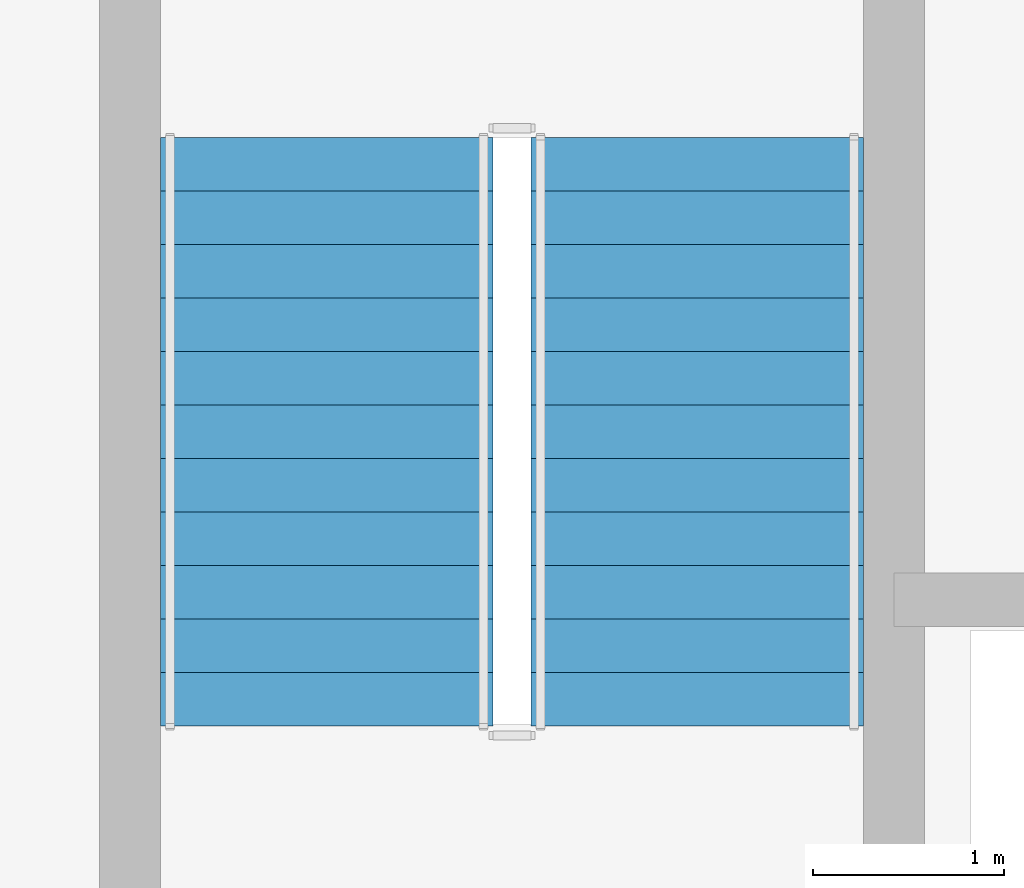
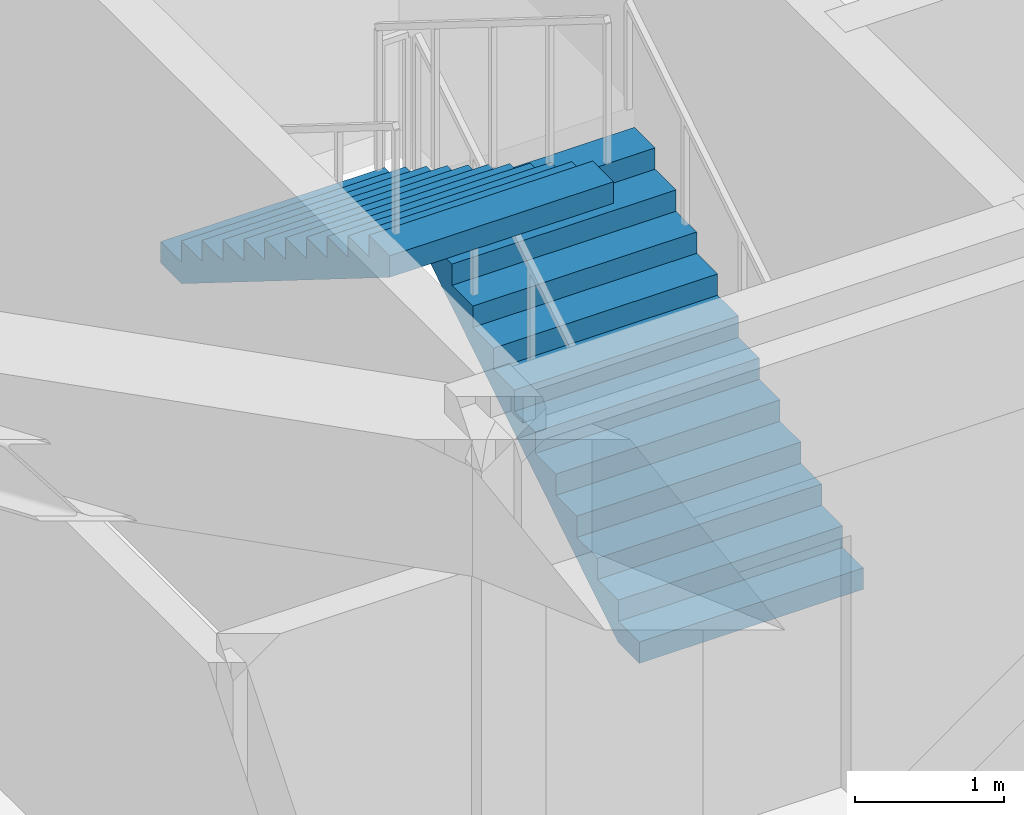
# One storey, part 4 of 5: 2 stair flights, 1 element without a shape of its own.
"""IFC4 building model written with IfcOpenShell, lengths in metres."""

from ifc_helpers import new_model, si_unit, direction, frame, origin, place, context, subcontext, project, spatial, polyline, outline, extrude, material, type_object, element, aggregate, save


model = new_model("IFC4")

# Units and contexts
model_context = context("Model", 3, precision=1e-05, world=origin(), true_north=direction((0.0, 1.0)))
body_context = subcontext(model_context, "Body", "Model", "MODEL_VIEW")
ifc_project = project(units=[si_unit("LENGTHUNIT", "METRE"), si_unit("AREAUNIT", "SQUARE_METRE"), si_unit("VOLUMEUNIT", "CUBIC_METRE"), si_unit("PLANEANGLEUNIT", "RADIAN"), si_unit("MASSUNIT", "GRAM", prefix="KILO")], contexts=[model_context])

# Site, building, storey
site_placement = place(None, origin())
site = spatial("IfcSite", under=ifc_project, at=site_placement, CompositionType="ELEMENT")
building_placement = place(site_placement, origin())
building = spatial("IfcBuilding", under=site, at=building_placement, Name="Talyreon Biosciences Tower", CompositionType="ELEMENT")
storey_placement = place(building_placement, frame((0.0, 0.0, 325.60009765625)))
storey = spatial("IfcBuildingStorey", under=building, at=storey_placement, Name="L86", CompositionType="ELEMENT", Elevation=325.60009765625)

# Stair, stair flights
ifc_material = material(Name="Concrete C40/50", Category="concrete")
stair_type = type_object("IfcStairType", Name="DoglegEscapeStair_4200", PredefinedType="HALF_TURN_STAIR", material=ifc_material)
stair_placement = place(storey_placement, origin())
stair = element("IfcStair", 1, at=stair_placement, inside=storey, type_object=stair_type, Name="L86 Crown Internal Escape Stair 4", PredefinedType="HALF_TURN_STAIR")
stair_flight_type = type_object("IfcStairFlightType", Name="PrecastStairFlight_4200", PredefinedType="STRAIGHT", material=ifc_material)
stair_flight_1_placement = place(storey_placement, frame((63.969970703125, 54.800048828125, 0.0), z_axis=(0.0, 0.0, 1.0), x_axis=(0.0, 1.0, 0.0)))
stair_flight_1 = element("IfcStairFlight", 2, at=stair_flight_1_placement, type_object=stair_flight_type, Name="ST-4 flight 1", NumberOfRisers=12, NumberOfTreads=11, PredefinedType="STRAIGHT", RiserHeight=0.175, TreadLength=0.28, context=body_context, shape_type="SweptSolid", body=[
    extrude(outline(polyline([(0.0, 0.0), (0.0, 0.175048828125), (0.280029296875, 0.175048828125), (0.280029296875, 0.35009765625), (0.56005859375, 0.35009765625), (0.56005859375, 0.52490234375), (0.840087890625, 0.52490234375), (0.840087890625, 0.699951171875), (1.1201171875, 0.699951171875), (1.1201171875, 0.875), (1.39990234375, 0.875), (1.39990234375, 1.050048828125), (1.679931640625, 1.050048828125), (1.679931640625, 1.22509765625), (1.9599609375, 1.22509765625), (1.9599609375, 1.39990234375), (2.239990234375, 1.39990234375), (2.239990234375, 1.574951171875), (2.52001953125, 1.574951171875), (2.52001953125, 1.75), (2.800048828125, 1.75), (2.800048828125, 1.925048828125), (3.080078125, 1.925048828125), (3.080078125, 2.10009765625), (3.080078125, 1.748291015625), (0.28271484375, 0.0), (0.0, 0.0)])), frame((0.0, 0.8701171875, 0.0), z_axis=(0.0, -1.0, 0.0), x_axis=(1.0, 0.0, 0.0)), (0.0, 0.0, 1.0), 1.739990234375),
])
stair_flight_2_placement = place(storey_placement, frame((62.030029296875, 57.8798828125, 2.099853515625), z_axis=(0.0, 0.0, 1.0), x_axis=(0.0, -1.0, 0.0)))
stair_flight_2 = element("IfcStairFlight", 3, at=stair_flight_2_placement, type_object=stair_flight_type, Name="ST-4 flight 2", NumberOfRisers=12, NumberOfTreads=11, PredefinedType="STRAIGHT", RiserHeight=0.175, TreadLength=0.28, context=body_context, shape_type="SweptSolid", body=[
    extrude(outline(polyline([(0.0, 0.0), (0.0, 0.175048828125), (0.280029296875, 0.175048828125), (0.280029296875, 0.35009765625), (0.56005859375, 0.35009765625), (0.56005859375, 0.52490234375), (0.840087890625, 0.52490234375), (0.840087890625, 0.699951171875), (1.1201171875, 0.699951171875), (1.1201171875, 0.875), (1.39990234375, 0.875), (1.39990234375, 1.050048828125), (1.679931640625, 1.050048828125), (1.679931640625, 1.22509765625), (1.9599609375, 1.22509765625), (1.9599609375, 1.39990234375), (2.239990234375, 1.39990234375), (2.239990234375, 1.574951171875), (2.52001953125, 1.574951171875), (2.52001953125, 1.75), (2.800048828125, 1.75), (2.800048828125, 1.925048828125), (3.080078125, 1.925048828125), (3.080078125, 2.10009765625), (3.080078125, 1.748291015625), (0.28271484375, 0.0), (0.0, 0.0)])), frame((0.0, 0.8701171875, 0.0), z_axis=(0.0, -1.0, 0.0), x_axis=(1.0, 0.0, 0.0)), (0.0, 0.0, 1.0), 1.739990234375),
])
aggregate(stair, [stair_flight_1, stair_flight_2])

save(model, "model.ifc")
